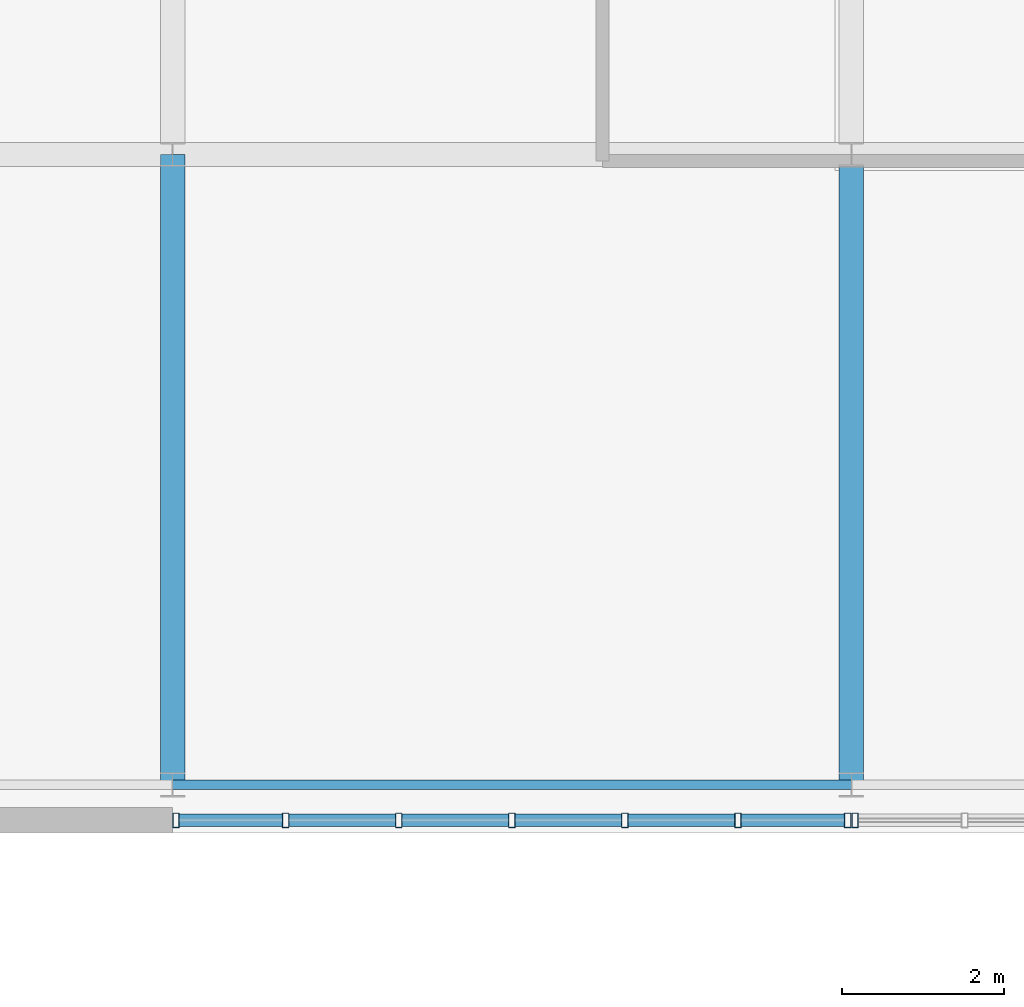
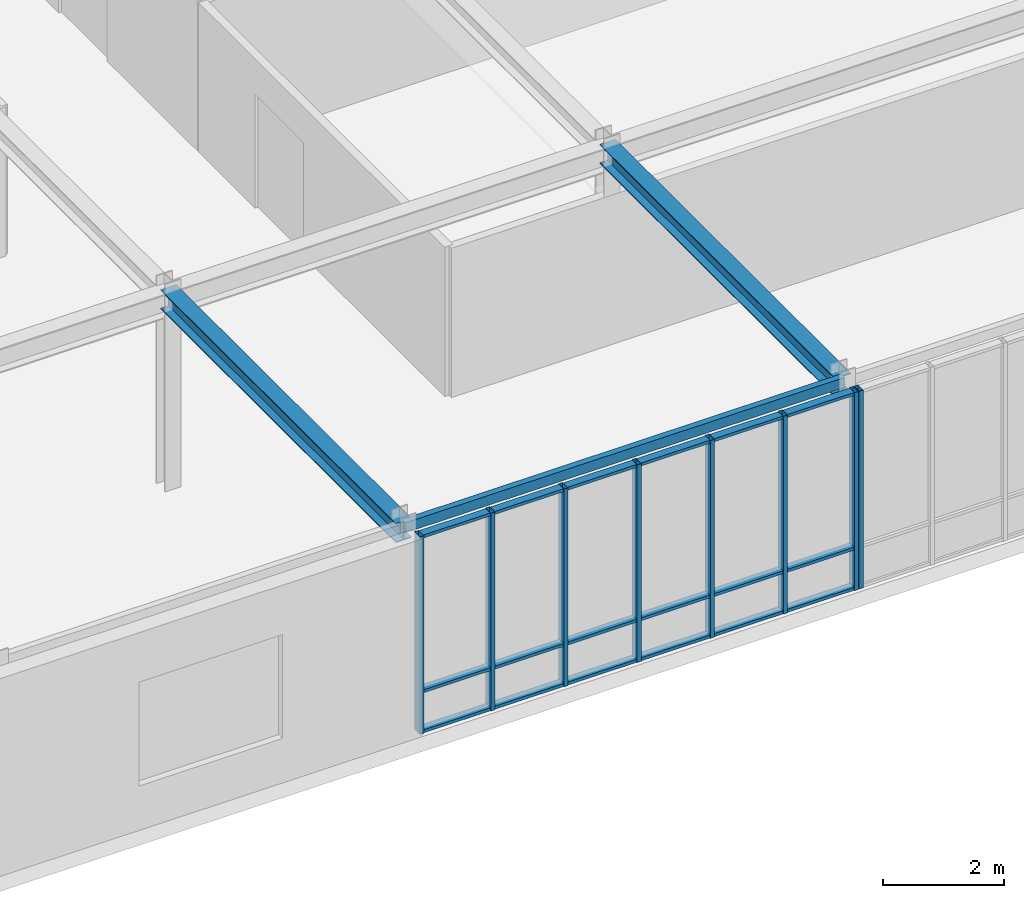
# One storey, part 74 of 127: 26 members, 3 beams, 2 elements without a shape of their own.
"""IFC4 building model written with IfcOpenShell, lengths in metres."""

from ifc_helpers import new_model, si_unit, direction, frame, origin, origin_2d, place, context, subcontext, project, spatial, hollow_rectangle, i_section, extrude, material, layer, layer_set, material_profile, profile_set, type_object, element, aggregate, save


model = new_model("IFC4")

# Units and contexts
model_context = context("Model", 3, precision=1e-05, world=origin(), true_north=direction((0.0, 1.0)))
body_context = subcontext(model_context, "Body", "Model", "MODEL_VIEW")
ifc_project = project(units=[si_unit("LENGTHUNIT", "METRE"), si_unit("AREAUNIT", "SQUARE_METRE"), si_unit("VOLUMEUNIT", "CUBIC_METRE"), si_unit("PLANEANGLEUNIT", "RADIAN"), si_unit("MASSUNIT", "GRAM", prefix="KILO")], contexts=[model_context])

# Site, building, storey
site_placement = place(None, origin())
site = spatial("IfcSite", under=ifc_project, at=site_placement, CompositionType="ELEMENT")
building_placement = place(site_placement, origin())
building = spatial("IfcBuilding", under=site, at=building_placement, Name="Zayran Congress Hotel", CompositionType="ELEMENT")
storey_placement = place(building_placement, frame((0.0, 0.0, 10.800048828125)))
storey = spatial("IfcBuildingStorey", under=building, at=storey_placement, Name="L02", CompositionType="ELEMENT", Elevation=10.800048828125)

# Beams
ifc_material_1 = material(Name="Steel S355", Category="steel")
ifc_material_profile_1 = material_profile(ifc_material_1, i_section(OverallWidth=0.300048828125, OverallDepth=0.389892578125, WebThickness=0.010986328125, FlangeThickness=0.01904296875, at=origin_2d()), Name="HEA 400")
ifc_profile_set_1 = profile_set([ifc_material_profile_1], Name="Steel S355")
beam_type_1 = type_object("IfcBeamType", Name="TP-BM-06", PredefinedType="BEAM", material=ifc_profile_set_1)
for number, where, z_axis, x_axis, name in (
    (1, (159.60009765625, 9.39990234375, 3.804931640625), (0.0, 1.0, 0.0), (-1.0, 0.0, 0.0), "BM-V3-L02-1195"),
    (2, (168.0, 9.39990234375, 3.804931640625), (0.0, 1.0, 0.0), (-1.0, 0.0, 0.0), "BM-V3-L02-1198"),
):
    element("IfcBeam", number, at=place(storey_placement, frame(where, z_axis=z_axis, x_axis=x_axis)), inside=storey, type_object=beam_type_1, Name=name, PredefinedType="BEAM", context=body_context, shape_type="SweptSolid", body=[
        extrude(i_section(OverallWidth=0.300048828125, OverallDepth=0.389892578125, WebThickness=0.010986328125, FlangeThickness=0.01904296875, at=origin_2d()), origin(), (0.0, 0.0, 1.0), 7.800048828125),
    ])
ifc_material_profile_2 = material_profile(ifc_material_1, hollow_rectangle(XDim=0.1201171875, YDim=0.199951171875, WallThickness=0.008056640625, at=origin_2d()), Name="RHS 200x120x8")
ifc_profile_set_2 = profile_set([ifc_material_profile_2], Name="Steel S355")
beam_type_2 = type_object("IfcBeamType", Name="TP-SP-02", PredefinedType="SPANDREL", material=ifc_profile_set_2)
beam_placement = place(storey_placement, frame((159.60009765625, 9.39990234375, 3.89990234375), z_axis=(1.0, 0.0, 0.0), x_axis=(0.0, 1.0, 0.0)))
element("IfcBeam", 3, at=beam_placement, inside=storey, type_object=beam_type_2, Name="BM-V3-L02-1175", PredefinedType="SPANDREL", context=body_context, shape_type="SweptSolid", body=[
    extrude(hollow_rectangle(XDim=0.1201171875, YDim=0.199951171875, WallThickness=0.008056640625, at=origin_2d()), origin(), (0.0, 0.0, 1.0), 8.39990234375),
])

# Curtain wall, members
ifc_material_2 = material(Name="Anodised aluminium and low-E insulated glass", Category="aluminium")
ifc_layer_1 = layer(ifc_material_2, 0.179931640625)
ifc_layer_set_1 = layer_set([ifc_layer_1], Name="Anodised aluminium and low-E insulated glass")
curtain_wall_type_1 = type_object("IfcCurtainWallType", Name="CW-V3S-L02-CW-V32-8395-4000", PredefinedType="USERDEFINED", material=ifc_layer_set_1)
curtain_wall_1_placement = place(storey_placement, origin())
curtain_wall_1 = element("IfcCurtainWall", 4, at=curtain_wall_1_placement, inside=storey, type_object=curtain_wall_type_1, Name="CW-V3S-L02-1", ObjectType="CURTAIN WALL", PredefinedType="USERDEFINED")
ifc_material_3 = material(Name="Anodised aluminium framing", Category="aluminium")
ifc_material_profile_3 = material_profile(ifc_material_3, hollow_rectangle(XDim=0.080078125, YDim=0.179931640625, WallThickness=0.0048828125, at=origin_2d()), Name="RHS 180x80x5")
ifc_profile_set_3 = profile_set([ifc_material_profile_3], Name="Anodised aluminium framing")
member_type_1 = type_object("IfcMemberType", Name="TP-CWM-01", PredefinedType="MULLION", material=ifc_profile_set_3)
member_1_placement = place(storey_placement, frame((159.639892578125, 8.9599609375, 0.0), z_axis=(0.0, 0.0, 1.0), x_axis=(1.0, 0.0, 0.0)))
member_1 = element("IfcMember", 5, at=member_1_placement, type_object=member_type_1, Name="CW-V3S-L02-1-M00", PredefinedType="MULLION", context=body_context, shape_type="SweptSolid", body=[
    extrude(hollow_rectangle(XDim=0.080078125, YDim=0.179931640625, WallThickness=0.0048828125, at=origin_2d()), origin(), (0.0, 0.0, 1.0), 4.0),
])
member_2_placement = place(storey_placement, frame((160.999267578125, 8.9599609375, 0.0), z_axis=(0.0, 0.0, 1.0), x_axis=(1.0, 0.0, 0.0)))
member_2 = element("IfcMember", 6, at=member_2_placement, type_object=member_type_1, Name="CW-V3S-L02-1-M01", PredefinedType="MULLION", context=body_context, shape_type="SweptSolid", body=[
    extrude(hollow_rectangle(XDim=0.080078125, YDim=0.179931640625, WallThickness=0.0048828125, at=origin_2d()), origin(), (0.0, 0.0, 1.0), 4.0),
])
member_3_placement = place(storey_placement, frame((162.398193359375, 8.9599609375, 0.0), z_axis=(0.0, 0.0, 1.0), x_axis=(1.0, 0.0, 0.0)))
member_3 = element("IfcMember", 7, at=member_3_placement, type_object=member_type_1, Name="CW-V3S-L02-1-M02", PredefinedType="MULLION", context=body_context, shape_type="SweptSolid", body=[
    extrude(hollow_rectangle(XDim=0.080078125, YDim=0.179931640625, WallThickness=0.0048828125, at=origin_2d()), origin(), (0.0, 0.0, 1.0), 4.0),
])
member_4_placement = place(storey_placement, frame((163.797607421875, 8.9599609375, 0.0), z_axis=(0.0, 0.0, 1.0), x_axis=(1.0, 0.0, 0.0)))
member_4 = element("IfcMember", 8, at=member_4_placement, type_object=member_type_1, Name="CW-V3S-L02-1-M03", PredefinedType="MULLION", context=body_context, shape_type="SweptSolid", body=[
    extrude(hollow_rectangle(XDim=0.080078125, YDim=0.179931640625, WallThickness=0.0048828125, at=origin_2d()), origin(), (0.0, 0.0, 1.0), 4.0),
])
member_5_placement = place(storey_placement, frame((165.19677734375, 8.9599609375, 0.0), z_axis=(0.0, 0.0, 1.0), x_axis=(1.0, 0.0, 0.0)))
member_5 = element("IfcMember", 9, at=member_5_placement, type_object=member_type_1, Name="CW-V3S-L02-1-M04", PredefinedType="MULLION", context=body_context, shape_type="SweptSolid", body=[
    extrude(hollow_rectangle(XDim=0.080078125, YDim=0.179931640625, WallThickness=0.0048828125, at=origin_2d()), origin(), (0.0, 0.0, 1.0), 4.0),
])
member_6_placement = place(storey_placement, frame((166.595703125, 8.9599609375, 0.0), z_axis=(0.0, 0.0, 1.0), x_axis=(1.0, 0.0, 0.0)))
member_6 = element("IfcMember", 10, at=member_6_placement, type_object=member_type_1, Name="CW-V3S-L02-1-M05", PredefinedType="MULLION", context=body_context, shape_type="SweptSolid", body=[
    extrude(hollow_rectangle(XDim=0.080078125, YDim=0.179931640625, WallThickness=0.0048828125, at=origin_2d()), origin(), (0.0, 0.0, 1.0), 4.0),
])
member_7_placement = place(storey_placement, frame((167.955078125, 8.9599609375, 0.0), z_axis=(0.0, 0.0, 1.0), x_axis=(1.0, 0.0, 0.0)))
member_7 = element("IfcMember", 11, at=member_7_placement, type_object=member_type_1, Name="CW-V3S-L02-1-M06", PredefinedType="MULLION", context=body_context, shape_type="SweptSolid", body=[
    extrude(hollow_rectangle(XDim=0.080078125, YDim=0.179931640625, WallThickness=0.0048828125, at=origin_2d()), origin(), (0.0, 0.0, 1.0), 4.0),
])

# Curtain wall, member
ifc_layer_2 = layer(ifc_material_2, 0.179931640625)
ifc_layer_set_2 = layer_set([ifc_layer_2], Name="Anodised aluminium and low-E insulated glass")
curtain_wall_type_2 = type_object("IfcCurtainWallType", Name="CW-V3S-L02-CW-V31-8390-4000", PredefinedType="USERDEFINED", material=ifc_layer_set_2)
curtain_wall_2_placement = place(storey_placement, origin())
curtain_wall_2 = element("IfcCurtainWall", 12, at=curtain_wall_2_placement, inside=storey, type_object=curtain_wall_type_2, Name="CW-V3S-L02-2", ObjectType="CURTAIN WALL", PredefinedType="USERDEFINED")
member_8_placement = place(storey_placement, frame((168.044921875, 8.9599609375, 0.0), z_axis=(0.0, 0.0, 1.0), x_axis=(1.0, 0.0, 0.0)))
member_8 = element("IfcMember", 13, at=member_8_placement, type_object=member_type_1, Name="CW-V3S-L02-2-M00", PredefinedType="MULLION", context=body_context, shape_type="SweptSolid", body=[
    extrude(hollow_rectangle(XDim=0.080078125, YDim=0.179931640625, WallThickness=0.0048828125, at=origin_2d()), origin(), (0.0, 0.0, 1.0), 4.0),
])
aggregate(curtain_wall_2, [member_8])

# Member
ifc_material_profile_4 = material_profile(ifc_material_3, hollow_rectangle(XDim=0.06005859375, YDim=0.14990234375, WallThickness=0.00390625, at=origin_2d()), Name="RHS 150x60x4")
ifc_profile_set_4 = profile_set([ifc_material_profile_4], Name="Anodised aluminium framing")
member_type_2 = type_object("IfcMemberType", Name="TP-CWT-01", PredefinedType="USERDEFINED", material=ifc_profile_set_4)
member_9_placement = place(storey_placement, frame((159.679931640625, 8.9599609375, 0.030029296875), z_axis=(1.0, 0.0, 0.0), x_axis=(0.0, 0.0, 1.0)))
member_9 = element("IfcMember", 14, at=member_9_placement, type_object=member_type_2, Name="CW-V3S-L02-1-T00-0", ObjectType="TRANSOM", PredefinedType="USERDEFINED", context=body_context, shape_type="SweptSolid", body=[
    extrude(hollow_rectangle(XDim=0.06005859375, YDim=0.14990234375, WallThickness=0.00390625, at=origin_2d()), origin(), (0.0, 0.0, 1.0), 1.279296875),
])

member_10_placement = place(storey_placement, frame((159.679931640625, 8.9599609375, 0.83984375), z_axis=(1.0, 0.0, 0.0), x_axis=(0.0, 0.0, 1.0)))
member_10 = element("IfcMember", 15, at=member_10_placement, type_object=member_type_2, Name="CW-V3S-L02-1-T00-1", ObjectType="TRANSOM", PredefinedType="USERDEFINED", context=body_context, shape_type="SweptSolid", body=[
    extrude(hollow_rectangle(XDim=0.06005859375, YDim=0.14990234375, WallThickness=0.00390625, at=origin_2d()), origin(), (0.0, 0.0, 1.0), 1.279296875),
])

member_11_placement = place(storey_placement, frame((159.679931640625, 8.9599609375, 3.969970703125), z_axis=(1.0, 0.0, 0.0), x_axis=(0.0, 0.0, 1.0)))
member_11 = element("IfcMember", 16, at=member_11_placement, type_object=member_type_2, Name="CW-V3S-L02-1-T00-2", ObjectType="TRANSOM", PredefinedType="USERDEFINED", context=body_context, shape_type="SweptSolid", body=[
    extrude(hollow_rectangle(XDim=0.06005859375, YDim=0.14990234375, WallThickness=0.00390625, at=origin_2d()), origin(), (0.0, 0.0, 1.0), 1.279296875),
])

member_12_placement = place(storey_placement, frame((161.039306640625, 8.9599609375, 0.030029296875), z_axis=(1.0, 0.0, 0.0), x_axis=(0.0, 0.0, 1.0)))
member_12 = element("IfcMember", 17, at=member_12_placement, type_object=member_type_2, Name="CW-V3S-L02-1-T01-0", ObjectType="TRANSOM", PredefinedType="USERDEFINED", context=body_context, shape_type="SweptSolid", body=[
    extrude(hollow_rectangle(XDim=0.06005859375, YDim=0.14990234375, WallThickness=0.00390625, at=origin_2d()), origin(), (0.0, 0.0, 1.0), 1.319091796875),
])

member_13_placement = place(storey_placement, frame((161.039306640625, 8.9599609375, 0.83984375), z_axis=(1.0, 0.0, 0.0), x_axis=(0.0, 0.0, 1.0)))
member_13 = element("IfcMember", 18, at=member_13_placement, type_object=member_type_2, Name="CW-V3S-L02-1-T01-1", ObjectType="TRANSOM", PredefinedType="USERDEFINED", context=body_context, shape_type="SweptSolid", body=[
    extrude(hollow_rectangle(XDim=0.06005859375, YDim=0.14990234375, WallThickness=0.00390625, at=origin_2d()), origin(), (0.0, 0.0, 1.0), 1.319091796875),
])

member_14_placement = place(storey_placement, frame((161.039306640625, 8.9599609375, 3.969970703125), z_axis=(1.0, 0.0, 0.0), x_axis=(0.0, 0.0, 1.0)))
member_14 = element("IfcMember", 19, at=member_14_placement, type_object=member_type_2, Name="CW-V3S-L02-1-T01-2", ObjectType="TRANSOM", PredefinedType="USERDEFINED", context=body_context, shape_type="SweptSolid", body=[
    extrude(hollow_rectangle(XDim=0.06005859375, YDim=0.14990234375, WallThickness=0.00390625, at=origin_2d()), origin(), (0.0, 0.0, 1.0), 1.319091796875),
])

member_15_placement = place(storey_placement, frame((162.438232421875, 8.9599609375, 0.030029296875), z_axis=(1.0, 0.0, 0.0), x_axis=(0.0, 0.0, 1.0)))
member_15 = element("IfcMember", 20, at=member_15_placement, type_object=member_type_2, Name="CW-V3S-L02-1-T02-0", ObjectType="TRANSOM", PredefinedType="USERDEFINED", context=body_context, shape_type="SweptSolid", body=[
    extrude(hollow_rectangle(XDim=0.06005859375, YDim=0.14990234375, WallThickness=0.00390625, at=origin_2d()), origin(), (0.0, 0.0, 1.0), 1.3193359375),
])

member_16_placement = place(storey_placement, frame((162.438232421875, 8.9599609375, 0.83984375), z_axis=(1.0, 0.0, 0.0), x_axis=(0.0, 0.0, 1.0)))
member_16 = element("IfcMember", 21, at=member_16_placement, type_object=member_type_2, Name="CW-V3S-L02-1-T02-1", ObjectType="TRANSOM", PredefinedType="USERDEFINED", context=body_context, shape_type="SweptSolid", body=[
    extrude(hollow_rectangle(XDim=0.06005859375, YDim=0.14990234375, WallThickness=0.00390625, at=origin_2d()), origin(), (0.0, 0.0, 1.0), 1.3193359375),
])

member_17_placement = place(storey_placement, frame((162.438232421875, 8.9599609375, 3.969970703125), z_axis=(1.0, 0.0, 0.0), x_axis=(0.0, 0.0, 1.0)))
member_17 = element("IfcMember", 22, at=member_17_placement, type_object=member_type_2, Name="CW-V3S-L02-1-T02-2", ObjectType="TRANSOM", PredefinedType="USERDEFINED", context=body_context, shape_type="SweptSolid", body=[
    extrude(hollow_rectangle(XDim=0.06005859375, YDim=0.14990234375, WallThickness=0.00390625, at=origin_2d()), origin(), (0.0, 0.0, 1.0), 1.3193359375),
])

member_18_placement = place(storey_placement, frame((163.83740234375, 8.9599609375, 0.030029296875), z_axis=(1.0, 0.0, 0.0), x_axis=(0.0, 0.0, 1.0)))
member_18 = element("IfcMember", 23, at=member_18_placement, type_object=member_type_2, Name="CW-V3S-L02-1-T03-0", ObjectType="TRANSOM", PredefinedType="USERDEFINED", context=body_context, shape_type="SweptSolid", body=[
    extrude(hollow_rectangle(XDim=0.06005859375, YDim=0.14990234375, WallThickness=0.00390625, at=origin_2d()), origin(), (0.0, 0.0, 1.0), 1.3193359375),
])

member_19_placement = place(storey_placement, frame((163.83740234375, 8.9599609375, 0.83984375), z_axis=(1.0, 0.0, 0.0), x_axis=(0.0, 0.0, 1.0)))
member_19 = element("IfcMember", 24, at=member_19_placement, type_object=member_type_2, Name="CW-V3S-L02-1-T03-1", ObjectType="TRANSOM", PredefinedType="USERDEFINED", context=body_context, shape_type="SweptSolid", body=[
    extrude(hollow_rectangle(XDim=0.06005859375, YDim=0.14990234375, WallThickness=0.00390625, at=origin_2d()), origin(), (0.0, 0.0, 1.0), 1.3193359375),
])

member_20_placement = place(storey_placement, frame((163.83740234375, 8.9599609375, 3.969970703125), z_axis=(1.0, 0.0, 0.0), x_axis=(0.0, 0.0, 1.0)))
member_20 = element("IfcMember", 25, at=member_20_placement, type_object=member_type_2, Name="CW-V3S-L02-1-T03-2", ObjectType="TRANSOM", PredefinedType="USERDEFINED", context=body_context, shape_type="SweptSolid", body=[
    extrude(hollow_rectangle(XDim=0.06005859375, YDim=0.14990234375, WallThickness=0.00390625, at=origin_2d()), origin(), (0.0, 0.0, 1.0), 1.3193359375),
])

member_21_placement = place(storey_placement, frame((165.23681640625, 8.9599609375, 0.030029296875), z_axis=(1.0, 0.0, 0.0), x_axis=(0.0, 0.0, 1.0)))
member_21 = element("IfcMember", 26, at=member_21_placement, type_object=member_type_2, Name="CW-V3S-L02-1-T04-0", ObjectType="TRANSOM", PredefinedType="USERDEFINED", context=body_context, shape_type="SweptSolid", body=[
    extrude(hollow_rectangle(XDim=0.06005859375, YDim=0.14990234375, WallThickness=0.00390625, at=origin_2d()), origin(), (0.0, 0.0, 1.0), 1.319091796875),
])

member_22_placement = place(storey_placement, frame((165.23681640625, 8.9599609375, 0.83984375), z_axis=(1.0, 0.0, 0.0), x_axis=(0.0, 0.0, 1.0)))
member_22 = element("IfcMember", 27, at=member_22_placement, type_object=member_type_2, Name="CW-V3S-L02-1-T04-1", ObjectType="TRANSOM", PredefinedType="USERDEFINED", context=body_context, shape_type="SweptSolid", body=[
    extrude(hollow_rectangle(XDim=0.06005859375, YDim=0.14990234375, WallThickness=0.00390625, at=origin_2d()), origin(), (0.0, 0.0, 1.0), 1.319091796875),
])

member_23_placement = place(storey_placement, frame((165.23681640625, 8.9599609375, 3.969970703125), z_axis=(1.0, 0.0, 0.0), x_axis=(0.0, 0.0, 1.0)))
member_23 = element("IfcMember", 28, at=member_23_placement, type_object=member_type_2, Name="CW-V3S-L02-1-T04-2", ObjectType="TRANSOM", PredefinedType="USERDEFINED", context=body_context, shape_type="SweptSolid", body=[
    extrude(hollow_rectangle(XDim=0.06005859375, YDim=0.14990234375, WallThickness=0.00390625, at=origin_2d()), origin(), (0.0, 0.0, 1.0), 1.319091796875),
])

member_24_placement = place(storey_placement, frame((166.6357421875, 8.9599609375, 0.030029296875), z_axis=(1.0, 0.0, 0.0), x_axis=(0.0, 0.0, 1.0)))
member_24 = element("IfcMember", 29, at=member_24_placement, type_object=member_type_2, Name="CW-V3S-L02-1-T05-0", ObjectType="TRANSOM", PredefinedType="USERDEFINED", context=body_context, shape_type="SweptSolid", body=[
    extrude(hollow_rectangle(XDim=0.06005859375, YDim=0.14990234375, WallThickness=0.00390625, at=origin_2d()), origin(), (0.0, 0.0, 1.0), 1.279296875),
])

member_25_placement = place(storey_placement, frame((166.6357421875, 8.9599609375, 0.83984375), z_axis=(1.0, 0.0, 0.0), x_axis=(0.0, 0.0, 1.0)))
member_25 = element("IfcMember", 30, at=member_25_placement, type_object=member_type_2, Name="CW-V3S-L02-1-T05-1", ObjectType="TRANSOM", PredefinedType="USERDEFINED", context=body_context, shape_type="SweptSolid", body=[
    extrude(hollow_rectangle(XDim=0.06005859375, YDim=0.14990234375, WallThickness=0.00390625, at=origin_2d()), origin(), (0.0, 0.0, 1.0), 1.279296875),
])

member_26_placement = place(storey_placement, frame((166.6357421875, 8.9599609375, 3.969970703125), z_axis=(1.0, 0.0, 0.0), x_axis=(0.0, 0.0, 1.0)))
member_26 = element("IfcMember", 31, at=member_26_placement, type_object=member_type_2, Name="CW-V3S-L02-1-T05-2", ObjectType="TRANSOM", PredefinedType="USERDEFINED", context=body_context, shape_type="SweptSolid", body=[
    extrude(hollow_rectangle(XDim=0.06005859375, YDim=0.14990234375, WallThickness=0.00390625, at=origin_2d()), origin(), (0.0, 0.0, 1.0), 1.279296875),
])

aggregate(curtain_wall_1, [member_1, member_2, member_3, member_4, member_5, member_6, member_7, member_9, member_10, member_11, member_12, member_13, member_14, member_15, member_16, member_17, member_18, member_19, member_20, member_21, member_22, member_23, member_24, member_25, member_26])

save(model, "model.ifc")
